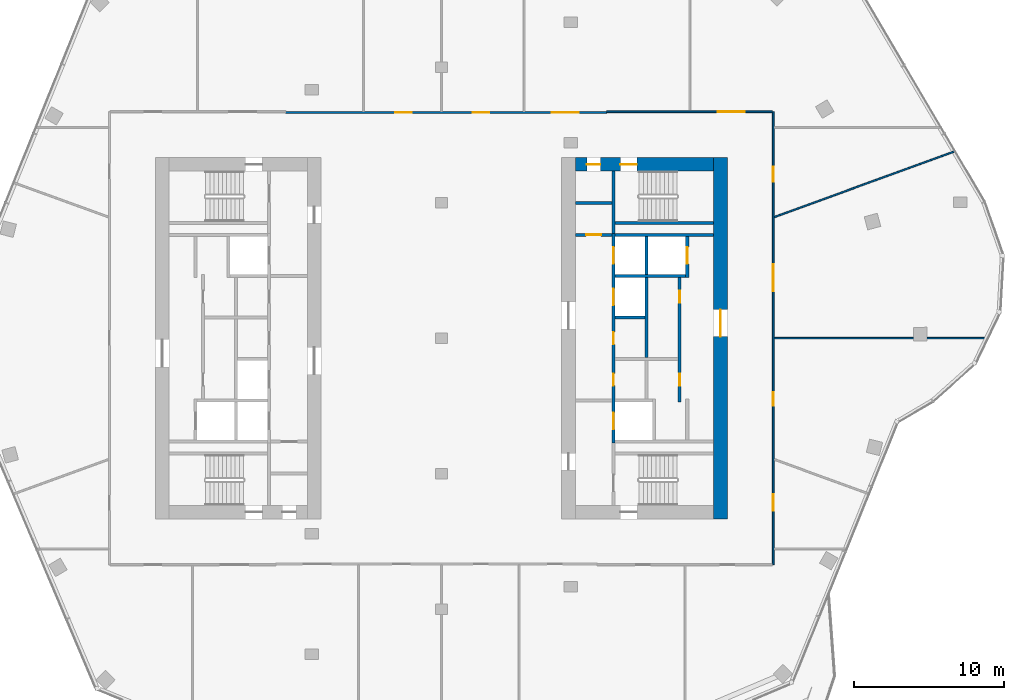
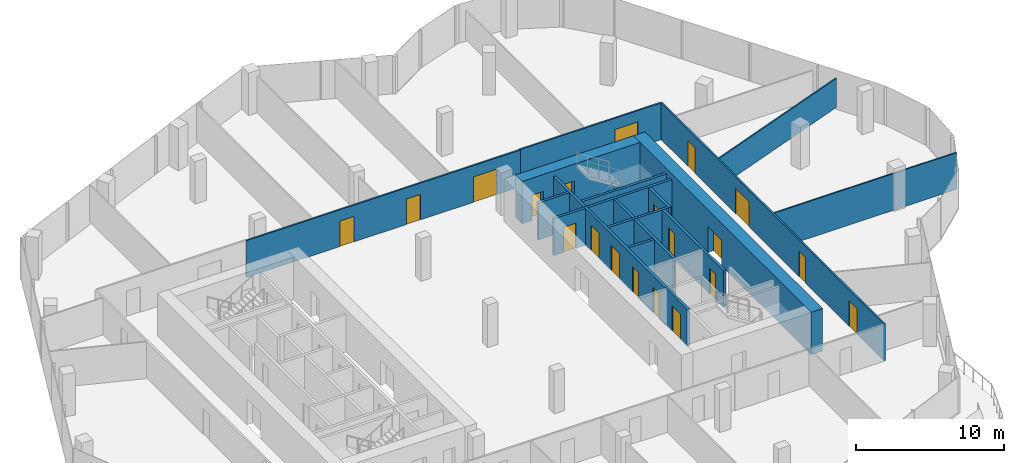
# One storey, part 14 of 17: 20 doors, 19 walls, 20 openings.
"""IFC4 building model written with IfcOpenShell, lengths in metres."""

from ifc_helpers import new_model, si_unit, direction, frame, frame_2d, origin, place, context, subcontext, project, spatial, rectangle, extrude, material, layer, layer_set, type_object, element, fill, save


model = new_model("IFC4")

# Units and contexts
model_context = context("Model", 3, precision=1e-05, world=origin(), true_north=direction((0.0, 1.0)))
body_context = subcontext(model_context, "Body", "Model", "MODEL_VIEW")
ifc_project = project(units=[si_unit("LENGTHUNIT", "METRE"), si_unit("AREAUNIT", "SQUARE_METRE"), si_unit("VOLUMEUNIT", "CUBIC_METRE"), si_unit("PLANEANGLEUNIT", "RADIAN"), si_unit("MASSUNIT", "GRAM", prefix="KILO")], contexts=[model_context])

# Site, building, storey
site_placement = place(None, origin())
site = spatial("IfcSite", under=ifc_project, at=site_placement, CompositionType="ELEMENT")
building_placement = place(site_placement, origin())
building = spatial("IfcBuilding", under=site, at=building_placement, Name="Orlundy Tower", CompositionType="ELEMENT")
storey_placement = place(building_placement, frame((0.0, 0.0, 296.39990234375)))
storey = spatial("IfcBuildingStorey", under=building, at=storey_placement, Name="L79", CompositionType="ELEMENT", Elevation=296.39990234375)

# Wall, openings, doors
ifc_material_1 = material(Name="Concrete C50/60", Category="concrete")
ifc_layer_1 = layer(ifc_material_1, 0.89990234375)
ifc_layer_set_1 = layer_set([ifc_layer_1], Name="CORE WALL 900 C50/60")
wall_type_1 = type_object("IfcWallType", Name="CORE WALL 900 C50/60", PredefinedType="SHEAR", material=ifc_layer_set_1)
wall_1_placement = place(storey_placement, frame((8.89990234375, 11.550048828125, 0.0), z_axis=(0.0, 0.0, 1.0), x_axis=(1.0, 0.0, 0.0)))
wall_1 = element("IfcWall", 1, at=wall_1_placement, inside=storey, type_object=wall_type_1, Name="Core wall E-N L79", PredefinedType="SHEAR", context=body_context, shape_type="SweptSolid", body=[
    extrude(rectangle(XDim=9.2001953125, YDim=0.89990234375, at=frame_2d((4.60009765625, 0.0))), origin(), (0.0, 0.0, 1.0), 3.5),
])
opening_1_placement = place(wall_1_placement, frame((3.0, 0.0, 0.0)))
opening_1 = element("IfcOpeningElement", 2, at=opening_1_placement, cuts=wall_1, Name="Opening 61062", PredefinedType="OPENING", context=body_context, shape_type="SweptSolid", body=[
    extrude(rectangle(XDim=1.10009765625, YDim=2.10009765625, at=frame_2d((0.550048828125, 1.050048828125))), frame((0.0, 0.4599609375, 0.0), z_axis=(0.0, -1.0, 0.0), x_axis=(1.0, 0.0, 0.0)), (0.0, 0.0, 1.0), 0.919921875),
])
opening_2_placement = place(wall_1_placement, frame((0.77001953125, 0.0, 0.0)))
opening_2 = element("IfcOpeningElement", 3, at=opening_2_placement, cuts=wall_1, Name="Opening 61064", PredefinedType="OPENING", context=body_context, shape_type="SweptSolid", body=[
    extrude(rectangle(XDim=0.89990234375, YDim=2.10009765625, at=frame_2d((0.449951171875, 1.050048828125))), frame((0.0, 0.4599609375, 0.0), z_axis=(0.0, -1.0, 0.0), x_axis=(1.0, 0.0, 0.0)), (0.0, 0.0, 1.0), 0.919921875),
])
ifc_material_2 = material(Name="Timber door set", Category="wood")
door_type_1 = type_object("IfcDoorType", Name="Room Door 900x2100", OperationType="SINGLE_SWING_LEFT", PredefinedType="DOOR", material=ifc_material_2)
door_1_placement = place(opening_2_placement, origin())
door_1 = element("IfcDoor", 4, at=door_1_placement, inside=storey, type_object=door_type_1, Name="Store door 61064", OperationType="SINGLE_SWING_LEFT", OverallHeight=2.10009765625, OverallWidth=0.89990234375, PredefinedType="DOOR", context=body_context, shape_type="SweptSolid", body=[
    extrude(rectangle(XDim=0.89990234375, YDim=2.10009765625, at=frame_2d((0.449951171875, 1.050048828125))), frame((0.0, 0.02490234375, 0.0), z_axis=(0.0, -1.0, 0.0), x_axis=(1.0, 0.0, 0.0)), (0.0, 0.0, 1.0), 0.050048828125),
])
fill(opening_2, door_1)
ifc_material_3 = material(Name="Steel door set", Category="steel")
door_type_2 = type_object("IfcDoorType", Name="Stair Door 1100x2100", OperationType="SINGLE_SWING_LEFT", PredefinedType="DOOR", material=ifc_material_3)
door_2_placement = place(opening_1_placement, origin())
door_2 = element("IfcDoor", 5, at=door_2_placement, inside=storey, type_object=door_type_2, Name="Stair door 61062", OperationType="SINGLE_SWING_LEFT", OverallHeight=2.10009765625, OverallWidth=1.10009765625, PredefinedType="DOOR", context=body_context, shape_type="SweptSolid", body=[
    extrude(rectangle(XDim=1.10009765625, YDim=2.10009765625, at=frame_2d((0.550048828125, 1.050048828125))), frame((0.0, 0.02490234375, 0.0), z_axis=(0.0, -1.0, 0.0), x_axis=(1.0, 0.0, 0.0)), (0.0, 0.0, 1.0), 0.050048828125),
])
fill(opening_1, door_2)

# Wall, opening, door
wall_2_placement = place(storey_placement, frame((18.550048828125, -12.0, 0.0), z_axis=(0.0, 0.0, 1.0), x_axis=(0.0, 1.0, 0.0)))
wall_2 = element("IfcWall", 6, at=wall_2_placement, inside=storey, type_object=wall_type_1, Name="Core wall E-E L79", PredefinedType="SHEAR", context=body_context, shape_type="SweptSolid", body=[
    extrude(rectangle(XDim=24.0, YDim=0.89990234375, at=frame_2d((12.0, 0.0))), origin(), (0.0, 0.0, 1.0), 3.5),
])
opening_3_placement = place(wall_2_placement, frame((12.10009765625, 0.0, 0.0)))
opening_3 = element("IfcOpeningElement", 7, at=opening_3_placement, cuts=wall_2, Name="Opening 61059", PredefinedType="OPENING", context=body_context, shape_type="SweptSolid", body=[
    extrude(rectangle(XDim=1.800048828125, YDim=2.10009765625, at=frame_2d((0.89990234375, 1.050048828125))), frame((0.0, 0.4599609375, 0.0), z_axis=(0.0, -1.0, 0.0), x_axis=(1.0, 0.0, 0.0)), (0.0, 0.0, 1.0), 0.919921875),
])
ifc_material_4 = material(Name="Timber door set", Category="wood")
door_type_3 = type_object("IfcDoorType", Name="Lobby Door 1800x2100", OperationType="DOUBLE_DOOR_DOUBLE_SWING", PredefinedType="DOOR", material=ifc_material_4)
door_3_placement = place(opening_3_placement, origin())
door_3 = element("IfcDoor", 8, at=door_3_placement, inside=storey, type_object=door_type_3, Name="Lift lobby door 61059", OperationType="SINGLE_SWING_RIGHT", OverallHeight=2.10009765625, OverallWidth=1.800048828125, PredefinedType="DOOR", context=body_context, shape_type="SweptSolid", body=[
    extrude(rectangle(XDim=1.800048828125, YDim=2.10009765625, at=frame_2d((0.89990234375, 1.050048828125))), frame((0.0, 0.02490234375, 0.0), z_axis=(0.0, -1.0, 0.0), x_axis=(1.0, 0.0, 0.0)), (0.0, 0.0, 1.0), 0.050048828125),
])
fill(opening_3, door_3)

# Walls
ifc_material_5 = material(Name="Gypsum board partition")
ifc_layer_2 = layer(ifc_material_5, 0.10009765625)
ifc_layer_set_2 = layer_set([ifc_layer_2], Name="Floor partition 100")
wall_type_2 = type_object("IfcWallType", Name="Floor partition 100", PredefinedType="PARTITIONING", material=ifc_layer_set_2)
wall_3_placement = place(storey_placement, frame((22.113037109375, 0.0, 0.0), z_axis=(0.0, 0.0, 1.0), x_axis=(1.0, 0.0, 0.0)))
element("IfcWall", 9, at=wall_3_placement, inside=storey, type_object=wall_type_2, Name="wall-int-L79-008", PredefinedType="PARTITIONING", context=body_context, shape_type="SweptSolid", body=[
    extrude(rectangle(XDim=14.239990234375, YDim=0.10009765625, at=frame_2d((7.1201171875, 0.0))), origin(), (0.0, 0.0, 1.0), 3.030029296875),
])
ifc_material_6 = material(Name="Gypsum board partition")
ifc_layer_3 = layer(ifc_material_6, 0.10009765625)
ifc_layer_set_3 = layer_set([ifc_layer_3], Name="Floor partition 100 B")
wall_type_3 = type_object("IfcWallType", Name="Floor partition 100 B", PredefinedType="PARTITIONING", material=ifc_layer_set_3)
wall_4_placement = place(storey_placement, frame((22.131103515625, 8.054931640625, 0.0), z_axis=(0.0, 0.0, 1.0), x_axis=(0.939707130354, 0.341980275983, 0.0)))
element("IfcWall", 10, at=wall_4_placement, inside=storey, type_object=wall_type_3, Name="wall-int-L79-015", PredefinedType="PARTITIONING", context=body_context, shape_type="SweptSolid", body=[
    extrude(rectangle(XDim=12.80810546875, YDim=0.10009765625, at=frame_2d((6.404052734375, 0.0))), origin(), (0.0, 0.0, 1.0), 2.39501953125),
])

# Wall, openings, doors
ifc_material_7 = material(Name="Gypsum board partition, double layer")
ifc_layer_4 = layer(ifc_material_7, 0.125)
ifc_layer_set_4 = layer_set([ifc_layer_4], Name="Floor partition 125")
wall_type_4 = type_object("IfcWallType", Name="Floor partition 125", PredefinedType="PARTITIONING", material=ifc_layer_set_4)
wall_5_placement = place(storey_placement, frame((-10.34912109375, 15.0009765625, 0.0), z_axis=(0.0, 0.0, 1.0), x_axis=(1.0, 0.0, 0.0)))
wall_5 = element("IfcWall", 11, at=wall_5_placement, inside=storey, type_object=wall_type_4, Name="wall-int-L79-011", PredefinedType="PARTITIONING", context=body_context, shape_type="SweptSolid", body=[
    extrude(rectangle(XDim=21.339111328125, YDim=0.125, at=frame_2d((10.66943359375, 0.0))), origin(), (0.0, 0.0, 1.0), 3.030029296875),
])
opening_4_placement = place(wall_5_placement, frame((17.694091796875, 0.0, 0.0)))
opening_4 = element("IfcOpeningElement", 12, at=opening_4_placement, cuts=wall_5, Name="Opening 61115", PredefinedType="OPENING", context=body_context, shape_type="SweptSolid", body=[
    extrude(rectangle(XDim=1.800048828125, YDim=2.10009765625, at=frame_2d((0.89990234375, 1.050048828125))), frame((0.0, 0.072509765625, 0.0), z_axis=(0.0, -1.0, 0.0), x_axis=(1.0, 0.0, 0.0)), (0.0, 0.0, 1.0), 0.14501953125),
])
opening_5_placement = place(wall_5_placement, frame((12.448974609375, 0.0, 0.0)))
opening_5 = element("IfcOpeningElement", 13, at=opening_5_placement, cuts=wall_5, Name="Opening 61116", PredefinedType="OPENING", context=body_context, shape_type="SweptSolid", body=[
    extrude(rectangle(XDim=1.10009765625, YDim=2.10009765625, at=frame_2d((0.550048828125, 1.050048828125))), frame((0.0, 0.072509765625, 0.0), z_axis=(0.0, -1.0, 0.0), x_axis=(1.0, 0.0, 0.0)), (0.0, 0.0, 1.0), 0.14501953125),
])
opening_6_placement = place(wall_5_placement, frame((7.27392578125, 0.0, 0.0)))
opening_6 = element("IfcOpeningElement", 14, at=opening_6_placement, cuts=wall_5, Name="Opening 61117", PredefinedType="OPENING", context=body_context, shape_type="SweptSolid", body=[
    extrude(rectangle(XDim=1.10009765625, YDim=2.10009765625, at=frame_2d((0.550048828125, 1.050048828125))), frame((0.0, 0.072509765625, 0.0), z_axis=(0.0, -1.0, 0.0), x_axis=(1.0, 0.0, 0.0)), (0.0, 0.0, 1.0), 0.14501953125),
])
ifc_material_8 = material(Name="Timber door leaf", Category="wood")
door_type_4 = type_object("IfcDoorType", Name="Floor door double 1800 FD30S", OperationType="NOTDEFINED", PredefinedType="DOOR", material=ifc_material_8)
door_4_placement = place(opening_4_placement, origin())
door_4 = element("IfcDoor", 15, at=door_4_placement, inside=storey, type_object=door_type_4, Name="Door 61115", OperationType="DOUBLE_DOOR_SINGLE_SWING", OverallHeight=2.10009765625, OverallWidth=1.800048828125, PredefinedType="DOOR", context=body_context, shape_type="SweptSolid", body=[
    extrude(rectangle(XDim=1.800048828125, YDim=2.10009765625, at=frame_2d((0.89990234375, 1.050048828125))), frame((0.0, 0.02490234375, 0.0), z_axis=(0.0, -1.0, 0.0), x_axis=(1.0, 0.0, 0.0)), (0.0, 0.0, 1.0), 0.050048828125),
])
fill(opening_4, door_4)
ifc_material_9 = material(Name="Timber door leaf", Category="wood")
door_type_5 = type_object("IfcDoorType", Name="Floor door xwide 1100 FD30S", OperationType="NOTDEFINED", PredefinedType="DOOR", material=ifc_material_9)
door_5_placement = place(opening_5_placement, origin())
door_5 = element("IfcDoor", 16, at=door_5_placement, inside=storey, type_object=door_type_5, Name="Door 61116", OperationType="SINGLE_SWING_RIGHT", OverallHeight=2.10009765625, OverallWidth=1.10009765625, PredefinedType="DOOR", context=body_context, shape_type="SweptSolid", body=[
    extrude(rectangle(XDim=1.10009765625, YDim=2.10009765625, at=frame_2d((0.550048828125, 1.050048828125))), frame((0.0, 0.02490234375, 0.0), z_axis=(0.0, -1.0, 0.0), x_axis=(1.0, 0.0, 0.0)), (0.0, 0.0, 1.0), 0.050048828125),
])
fill(opening_5, door_5)
door_6_placement = place(opening_6_placement, origin())
door_6 = element("IfcDoor", 17, at=door_6_placement, inside=storey, type_object=door_type_5, Name="Door 61117", OperationType="SINGLE_SWING_LEFT", OverallHeight=2.10009765625, OverallWidth=1.10009765625, PredefinedType="DOOR", context=body_context, shape_type="SweptSolid", body=[
    extrude(rectangle(XDim=1.10009765625, YDim=2.10009765625, at=frame_2d((0.550048828125, 1.050048828125))), frame((0.0, 0.02490234375, 0.0), z_axis=(0.0, -1.0, 0.0), x_axis=(1.0, 0.0, 0.0)), (0.0, 0.0, 1.0), 0.050048828125),
])
fill(opening_6, door_6)

# Wall, opening, door
wall_6_placement = place(storey_placement, frame((10.990966796875, 15.051025390625, 0.0), z_axis=(0.0, 0.0, 1.0), x_axis=(1.0, 0.0, 0.0)))
wall_6 = element("IfcWall", 18, at=wall_6_placement, inside=storey, type_object=wall_type_4, Name="wall-int-L79-013", PredefinedType="PARTITIONING", context=body_context, shape_type="SweptSolid", body=[
    extrude(rectangle(XDim=10.9970703125, YDim=0.125, at=frame_2d((5.49853515625, 0.0))), origin(), (0.0, 0.0, 1.0), 3.030029296875),
])
opening_7_placement = place(wall_6_placement, frame((7.3798828125, 0.0, 0.0)))
opening_7 = element("IfcOpeningElement", 19, at=opening_7_placement, cuts=wall_6, Name="Opening 61114", PredefinedType="OPENING", context=body_context, shape_type="SweptSolid", body=[
    extrude(rectangle(XDim=1.800048828125, YDim=2.10009765625, at=frame_2d((0.89990234375, 1.050048828125))), frame((0.0, 0.072509765625, 0.0), z_axis=(0.0, -1.0, 0.0), x_axis=(1.0, 0.0, 0.0)), (0.0, 0.0, 1.0), 0.14501953125),
])
door_7_placement = place(opening_7_placement, origin())
door_7 = element("IfcDoor", 20, at=door_7_placement, inside=storey, type_object=door_type_4, Name="Door 61114", OperationType="DOUBLE_DOOR_SINGLE_SWING", OverallHeight=2.10009765625, OverallWidth=1.800048828125, PredefinedType="DOOR", context=body_context, shape_type="SweptSolid", body=[
    extrude(rectangle(XDim=1.800048828125, YDim=2.10009765625, at=frame_2d((0.89990234375, 1.050048828125))), frame((0.0, 0.02490234375, 0.0), z_axis=(0.0, -1.0, 0.0), x_axis=(1.0, 0.0, 0.0)), (0.0, 0.0, 1.0), 0.050048828125),
])
fill(opening_7, door_7)

# Wall, openings, doors
wall_7_placement = place(storey_placement, frame((22.051025390625, 15.050048828125, 0.0), z_axis=(0.0, 0.0, 1.0), x_axis=(0.0, -1.0, 0.0)))
wall_7 = element("IfcWall", 21, at=wall_7_placement, inside=storey, type_object=wall_type_4, Name="wall-int-L79-016", PredefinedType="PARTITIONING", context=body_context, shape_type="SweptSolid", body=[
    extrude(rectangle(XDim=30.10009765625, YDim=0.125, at=frame_2d((15.050048828125, 0.0))), origin(), (0.0, 0.0, 1.0), 3.030029296875),
])
opening_8_placement = place(wall_7_placement, frame((25.426025390625, 0.0, 0.0)))
opening_8 = element("IfcOpeningElement", 22, at=opening_8_placement, cuts=wall_7, Name="Opening 61110", PredefinedType="OPENING", context=body_context, shape_type="SweptSolid", body=[
    extrude(rectangle(XDim=1.10009765625, YDim=2.10009765625, at=frame_2d((0.550048828125, 1.050048828125))), frame((0.0, 0.072509765625, 0.0), z_axis=(0.0, -1.0, 0.0), x_axis=(1.0, 0.0, 0.0)), (0.0, 0.0, 1.0), 0.14501953125),
])
opening_9_placement = place(wall_7_placement, frame((18.64990234375, 0.0, 0.0)))
opening_9 = element("IfcOpeningElement", 23, at=opening_9_placement, cuts=wall_7, Name="Opening 61111", PredefinedType="OPENING", context=body_context, shape_type="SweptSolid", body=[
    extrude(rectangle(XDim=0.89990234375, YDim=2.10009765625, at=frame_2d((0.449951171875, 1.050048828125))), frame((0.0, 0.072509765625, 0.0), z_axis=(0.0, -1.0, 0.0), x_axis=(1.0, 0.0, 0.0)), (0.0, 0.0, 1.0), 0.14501953125),
])
opening_10_placement = place(wall_7_placement, frame((10.1240234375, 0.0, 0.0)))
opening_10 = element("IfcOpeningElement", 24, at=opening_10_placement, cuts=wall_7, Name="Opening 61112", PredefinedType="OPENING", context=body_context, shape_type="SweptSolid", body=[
    extrude(rectangle(XDim=1.800048828125, YDim=2.10009765625, at=frame_2d((0.89990234375, 1.050048828125))), frame((0.0, 0.072509765625, 0.0), z_axis=(0.0, -1.0, 0.0), x_axis=(1.0, 0.0, 0.0)), (0.0, 0.0, 1.0), 0.14501953125),
])
opening_11_placement = place(wall_7_placement, frame((3.64990234375, 0.0, 0.0)))
opening_11 = element("IfcOpeningElement", 25, at=opening_11_placement, cuts=wall_7, Name="Opening 61113", PredefinedType="OPENING", context=body_context, shape_type="SweptSolid", body=[
    extrude(rectangle(XDim=1.0, YDim=2.10009765625, at=frame_2d((0.5, 1.050048828125))), frame((0.0, 0.072509765625, 0.0), z_axis=(0.0, -1.0, 0.0), x_axis=(1.0, 0.0, 0.0)), (0.0, 0.0, 1.0), 0.14501953125),
])
door_8_placement = place(opening_10_placement, origin())
door_8 = element("IfcDoor", 26, at=door_8_placement, inside=storey, type_object=door_type_4, Name="Door 61112", OperationType="DOUBLE_DOOR_SINGLE_SWING", OverallHeight=2.10009765625, OverallWidth=1.800048828125, PredefinedType="DOOR", context=body_context, shape_type="SweptSolid", body=[
    extrude(rectangle(XDim=1.800048828125, YDim=2.10009765625, at=frame_2d((0.89990234375, 1.050048828125))), frame((0.0, 0.02490234375, 0.0), z_axis=(0.0, -1.0, 0.0), x_axis=(1.0, 0.0, 0.0)), (0.0, 0.0, 1.0), 0.050048828125),
])
fill(opening_10, door_8)
ifc_material_10 = material(Name="Timber door leaf", Category="wood")
door_type_6 = type_object("IfcDoorType", Name="Floor door single 900 FD30S", OperationType="NOTDEFINED", PredefinedType="DOOR", material=ifc_material_10)
door_9_placement = place(opening_9_placement, origin())
door_9 = element("IfcDoor", 27, at=door_9_placement, inside=storey, type_object=door_type_6, Name="Door 61111", OperationType="SINGLE_SWING_RIGHT", OverallHeight=2.10009765625, OverallWidth=0.89990234375, PredefinedType="DOOR", context=body_context, shape_type="SweptSolid", body=[
    extrude(rectangle(XDim=0.89990234375, YDim=2.10009765625, at=frame_2d((0.449951171875, 1.050048828125))), frame((0.0, 0.02490234375, 0.0), z_axis=(0.0, -1.0, 0.0), x_axis=(1.0, 0.0, 0.0)), (0.0, 0.0, 1.0), 0.050048828125),
])
fill(opening_9, door_9)
ifc_material_11 = material(Name="Timber door leaf", Category="wood")
door_type_7 = type_object("IfcDoorType", Name="Floor door wide 1000 FD30S", OperationType="NOTDEFINED", PredefinedType="DOOR", material=ifc_material_11)
door_10_placement = place(opening_11_placement, origin())
door_10 = element("IfcDoor", 28, at=door_10_placement, inside=storey, type_object=door_type_7, Name="Door 61113", OperationType="SINGLE_SWING_LEFT", OverallHeight=2.10009765625, OverallWidth=1.0, PredefinedType="DOOR", context=body_context, shape_type="SweptSolid", body=[
    extrude(rectangle(XDim=1.0, YDim=2.10009765625, at=frame_2d((0.5, 1.050048828125))), frame((0.0, 0.02490234375, 0.0), z_axis=(0.0, -1.0, 0.0), x_axis=(1.0, 0.0, 0.0)), (0.0, 0.0, 1.0), 0.050048828125),
])
fill(opening_11, door_10)
door_11_placement = place(opening_8_placement, origin())
door_11 = element("IfcDoor", 29, at=door_11_placement, inside=storey, type_object=door_type_5, Name="Door 61110", OperationType="SINGLE_SWING_RIGHT", OverallHeight=2.10009765625, OverallWidth=1.10009765625, PredefinedType="DOOR", context=body_context, shape_type="SweptSolid", body=[
    extrude(rectangle(XDim=1.10009765625, YDim=2.10009765625, at=frame_2d((0.550048828125, 1.050048828125))), frame((0.0, 0.02490234375, 0.0), z_axis=(0.0, -1.0, 0.0), x_axis=(1.0, 0.0, 0.0)), (0.0, 0.0, 1.0), 0.050048828125),
])
fill(opening_8, door_11)

# Walls
ifc_material_12 = material(Name="Concrete C40/50", Category="concrete")
ifc_layer_5 = layer(ifc_material_12, 0.199951171875)
ifc_layer_set_5 = layer_set([ifc_layer_5], Name="Load-bearing Shaft Wall 200")
wall_type_5 = type_object("IfcWallType", Name="Load-bearing Shaft Wall 200", PredefinedType="SOLIDWALL", material=ifc_layer_set_5)
wall_8_placement = place(storey_placement, frame((11.43994140625, 11.10009765625, 0.0), z_axis=(0.0, 0.0, 1.0), x_axis=(0.0, -1.0, 0.0)))
element("IfcWall", 30, at=wall_8_placement, inside=storey, type_object=wall_type_5, Name="Shaft wall E61-stair-end-s", PredefinedType="SOLIDWALL", context=body_context, shape_type="SweptSolid", body=[
    extrude(rectangle(XDim=4.125, YDim=0.199951171875, at=frame_2d((2.0625, 0.0))), origin(), (0.0, 0.0, 1.0), 3.050048828125),
])
wall_9_placement = place(storey_placement, frame((11.5400390625, 7.64990234375, 0.0), z_axis=(0.0, 0.0, 1.0), x_axis=(1.0, 0.0, 0.0)))
element("IfcWall", 31, at=wall_9_placement, inside=storey, type_object=wall_type_5, Name="Shaft wall E61-stair-side-s", PredefinedType="SOLIDWALL", context=body_context, shape_type="SweptSolid", body=[
    extrude(rectangle(XDim=6.56005859375, YDim=0.199951171875, at=frame_2d((3.280029296875, 0.0))), origin(), (0.0, 0.0, 1.0), 3.050048828125),
])

# Wall, opening, door
ifc_material_13 = material(Name="Gypsum board partition on steel studs", Category="steel")
ifc_layer_6 = layer(ifc_material_13, 0.199951171875)
ifc_layer_set_6 = layer_set([ifc_layer_6], Name="Partition 200")
wall_type_6 = type_object("IfcWallType", Name="Partition 200", PredefinedType="PARTITIONING", material=ifc_layer_set_6)
wall_10_placement = place(storey_placement, frame((8.89990234375, 6.875, 0.0), z_axis=(0.0, 0.0, 1.0), x_axis=(1.0, 0.0, 0.0)))
wall_10 = element("IfcWall", 32, at=wall_10_placement, inside=storey, type_object=wall_type_6, Name="Partition wall E61-end-s", PredefinedType="PARTITIONING", context=body_context, shape_type="SweptSolid", body=[
    extrude(rectangle(XDim=2.440185546875, YDim=0.199951171875, at=frame_2d((1.22021484375, 0.0))), origin(), (0.0, 0.0, 1.0), 3.050048828125),
])
opening_12_placement = place(wall_10_placement, frame((0.719970703125, 0.0, 0.0)))
opening_12 = element("IfcOpeningElement", 33, at=opening_12_placement, cuts=wall_10, Name="Opening 61065", PredefinedType="OPENING", context=body_context, shape_type="SweptSolid", body=[
    extrude(rectangle(XDim=1.0, YDim=2.10009765625, at=frame_2d((0.5, 1.050048828125))), frame((0.0, 0.110107421875, 0.0), z_axis=(0.0, -1.0, 0.0), x_axis=(1.0, 0.0, 0.0)), (0.0, 0.0, 1.0), 0.22021484375),
])
ifc_material_14 = material(Name="Timber door set", Category="wood")
door_type_8 = type_object("IfcDoorType", Name="Accessible Door 1000x2100", OperationType="SINGLE_SWING_LEFT", PredefinedType="DOOR", material=ifc_material_14)
door_12_placement = place(opening_12_placement, origin())
door_12 = element("IfcDoor", 34, at=door_12_placement, inside=storey, type_object=door_type_8, Name="Accessible WC door 61065", OperationType="SINGLE_SWING_RIGHT", OverallHeight=2.10009765625, OverallWidth=1.0, PredefinedType="DOOR", context=body_context, shape_type="SweptSolid", body=[
    extrude(rectangle(XDim=1.0, YDim=2.10009765625, at=frame_2d((0.5, 1.050048828125))), frame((0.0, 0.02490234375, 0.0), z_axis=(0.0, -1.0, 0.0), x_axis=(1.0, 0.0, 0.0)), (0.0, 0.0, 1.0), 0.050048828125),
])
fill(opening_12, door_12)

# Walls
wall_11_placement = place(storey_placement, frame((8.89990234375, 9.0, 0.0), z_axis=(0.0, 0.0, 1.0), x_axis=(1.0, 0.0, 0.0)))
element("IfcWall", 35, at=wall_11_placement, inside=storey, type_object=wall_type_6, Name="Partition wall E61-room-s0", PredefinedType="PARTITIONING", context=body_context, shape_type="SweptSolid", body=[
    extrude(rectangle(XDim=2.440185546875, YDim=0.199951171875, at=frame_2d((1.22021484375, 0.0))), origin(), (0.0, 0.0, 1.0), 3.050048828125),
])
ifc_material_15 = material(Name="Fire-rated blockwork shaft wall", Category="masonry")
ifc_layer_7 = layer(ifc_material_15, 0.199951171875)
ifc_layer_set_7 = layer_set([ifc_layer_7], Name="Shaft Wall 200")
wall_type_7 = type_object("IfcWallType", Name="Shaft Wall 200", PredefinedType="SOLIDWALL", material=ifc_layer_set_7)
wall_12_placement = place(storey_placement, frame((11.5400390625, 6.875, 0.0), z_axis=(0.0, 0.0, 1.0), x_axis=(1.0, 0.0, 0.0)))
element("IfcWall", 36, at=wall_12_placement, inside=storey, type_object=wall_type_7, Name="Shaft wall E61-zone-s", PredefinedType="SOLIDWALL", context=body_context, shape_type="SweptSolid", body=[
    extrude(rectangle(XDim=6.56005859375, YDim=0.199951171875, at=frame_2d((3.280029296875, 0.0))), origin(), (0.0, 0.0, 1.0), 3.050048828125),
])
wall_13_placement = place(storey_placement, frame((11.5400390625, 4.125, 0.0), z_axis=(0.0, 0.0, 1.0), x_axis=(1.0, 0.0, 0.0)))
element("IfcWall", 37, at=wall_13_placement, inside=storey, type_object=wall_type_7, Name="Shaft wall E61-cross-4.125", PredefinedType="SOLIDWALL", context=body_context, shape_type="SweptSolid", body=[
    extrude(rectangle(XDim=4.699951171875, YDim=0.199951171875, at=frame_2d((2.35009765625, 0.0))), origin(), (0.0, 0.0, 1.0), 3.050048828125),
])
wall_14_placement = place(storey_placement, frame((11.5400390625, 1.375, 0.0), z_axis=(0.0, 0.0, 1.0), x_axis=(1.0, 0.0, 0.0)))
element("IfcWall", 38, at=wall_14_placement, inside=storey, type_object=wall_type_7, Name="Shaft wall E61-cross-1.375", PredefinedType="SOLIDWALL", context=body_context, shape_type="SweptSolid", body=[
    extrude(rectangle(XDim=2.0, YDim=0.199951171875, at=frame_2d((1.0, 0.0))), origin(), (0.0, 0.0, 1.0), 3.050048828125),
])

# Wall, openings, doors
wall_15_placement = place(storey_placement, frame((11.43994140625, 6.97509765625, 0.0), z_axis=(0.0, 0.0, 1.0), x_axis=(0.0, -1.0, 0.0)))
wall_15 = element("IfcWall", 39, at=wall_15_placement, inside=storey, type_object=wall_type_7, Name="Shaft wall E61-front-h", PredefinedType="SOLIDWALL", context=body_context, shape_type="SweptSolid", body=[
    extrude(rectangle(XDim=13.9501953125, YDim=0.199951171875, at=frame_2d((6.97509765625, 0.0))), origin(), (0.0, 0.0, 1.0), 3.050048828125),
])
opening_13_placement = place(wall_15_placement, frame((0.925048828125, 0.0, 0.0)))
opening_13 = element("IfcOpeningElement", 40, at=opening_13_placement, cuts=wall_15, Name="Opening 61050", PredefinedType="OPENING", context=body_context, shape_type="SweptSolid", body=[
    extrude(rectangle(XDim=1.10009765625, YDim=2.10009765625, at=frame_2d((0.550048828125, 1.050048828125))), frame((0.0, 0.110107421875, 0.0), z_axis=(0.0, -1.0, 0.0), x_axis=(1.0, 0.0, 0.0)), (0.0, 0.0, 1.0), 0.22021484375),
])
opening_14_placement = place(wall_15_placement, frame((3.675048828125, 0.0, 0.0)))
opening_14 = element("IfcOpeningElement", 41, at=opening_14_placement, cuts=wall_15, Name="Opening 61052", PredefinedType="OPENING", context=body_context, shape_type="SweptSolid", body=[
    extrude(rectangle(XDim=1.10009765625, YDim=2.10009765625, at=frame_2d((0.550048828125, 1.050048828125))), frame((0.0, 0.110107421875, 0.0), z_axis=(0.0, -1.0, 0.0), x_axis=(1.0, 0.0, 0.0)), (0.0, 0.0, 1.0), 0.22021484375),
])
opening_15_placement = place(wall_15_placement, frame((11.925048828125, 0.0, 0.0)))
opening_15 = element("IfcOpeningElement", 42, at=opening_15_placement, cuts=wall_15, Name="Opening 61053", PredefinedType="OPENING", context=body_context, shape_type="SweptSolid", body=[
    extrude(rectangle(XDim=1.10009765625, YDim=2.10009765625, at=frame_2d((0.550048828125, 1.050048828125))), frame((0.0, 0.110107421875, 0.0), z_axis=(0.0, -1.0, 0.0), x_axis=(1.0, 0.0, 0.0)), (0.0, 0.0, 1.0), 0.22021484375),
])
opening_16_placement = place(wall_15_placement, frame((6.574951171875, 0.0, 0.0)))
opening_16 = element("IfcOpeningElement", 43, at=opening_16_placement, cuts=wall_15, Name="Opening 61055", PredefinedType="OPENING", context=body_context, shape_type="SweptSolid", body=[
    extrude(rectangle(XDim=0.800048828125, YDim=2.10009765625, at=frame_2d((0.39990234375, 1.050048828125))), frame((0.0, 0.110107421875, 0.0), z_axis=(0.0, -1.0, 0.0), x_axis=(1.0, 0.0, 0.0)), (0.0, 0.0, 1.0), 0.22021484375),
])
opening_17_placement = place(wall_15_placement, frame((9.324951171875, 0.0, 0.0)))
opening_17 = element("IfcOpeningElement", 44, at=opening_17_placement, cuts=wall_15, Name="Opening 61056", PredefinedType="OPENING", context=body_context, shape_type="SweptSolid", body=[
    extrude(rectangle(XDim=0.800048828125, YDim=2.10009765625, at=frame_2d((0.39990234375, 1.050048828125))), frame((0.0, 0.110107421875, 0.0), z_axis=(0.0, -1.0, 0.0), x_axis=(1.0, 0.0, 0.0)), (0.0, 0.0, 1.0), 0.22021484375),
])
ifc_material_16 = material(Name="Steel door set", Category="steel")
door_type_9 = type_object("IfcDoorType", Name="Landing Door 1100x2100", OperationType="DOUBLE_DOOR_SLIDING", PredefinedType="DOOR", material=ifc_material_16)
door_13_placement = place(opening_13_placement, origin())
door_13 = element("IfcDoor", 45, at=door_13_placement, inside=storey, type_object=door_type_9, Name="Lift landing door LP-24 61050", OperationType="DOUBLE_DOOR_SLIDING", OverallHeight=2.10009765625, OverallWidth=1.10009765625, PredefinedType="DOOR", context=body_context, shape_type="SweptSolid", body=[
    extrude(rectangle(XDim=1.10009765625, YDim=2.10009765625, at=frame_2d((0.550048828125, 1.050048828125))), frame((0.0, 0.02490234375, 0.0), z_axis=(0.0, -1.0, 0.0), x_axis=(1.0, 0.0, 0.0)), (0.0, 0.0, 1.0), 0.050048828125),
])
fill(opening_13, door_13)
door_14_placement = place(opening_14_placement, origin())
door_14 = element("IfcDoor", 46, at=door_14_placement, inside=storey, type_object=door_type_9, Name="Lift landing door LP-23 61052", OperationType="DOUBLE_DOOR_SLIDING", OverallHeight=2.10009765625, OverallWidth=1.10009765625, PredefinedType="DOOR", context=body_context, shape_type="SweptSolid", body=[
    extrude(rectangle(XDim=1.10009765625, YDim=2.10009765625, at=frame_2d((0.550048828125, 1.050048828125))), frame((0.0, 0.02490234375, 0.0), z_axis=(0.0, -1.0, 0.0), x_axis=(1.0, 0.0, 0.0)), (0.0, 0.0, 1.0), 0.050048828125),
])
fill(opening_14, door_14)
door_15_placement = place(opening_15_placement, origin())
door_15 = element("IfcDoor", 47, at=door_15_placement, inside=storey, type_object=door_type_9, Name="Lift landing door FL2 61053", OperationType="DOUBLE_DOOR_SLIDING", OverallHeight=2.10009765625, OverallWidth=1.10009765625, PredefinedType="DOOR", context=body_context, shape_type="SweptSolid", body=[
    extrude(rectangle(XDim=1.10009765625, YDim=2.10009765625, at=frame_2d((0.550048828125, 1.050048828125))), frame((0.0, 0.02490234375, 0.0), z_axis=(0.0, -1.0, 0.0), x_axis=(1.0, 0.0, 0.0)), (0.0, 0.0, 1.0), 0.050048828125),
])
fill(opening_15, door_15)
ifc_material_17 = material(Name="Timber door set", Category="wood")
door_type_10 = type_object("IfcDoorType", Name="Riser Door 800x2100", OperationType="SINGLE_SWING_LEFT", PredefinedType="DOOR", material=ifc_material_17)
door_16_placement = place(opening_16_placement, origin())
door_16 = element("IfcDoor", 48, at=door_16_placement, inside=storey, type_object=door_type_10, Name="Coat Store door 61055", OperationType="SINGLE_SWING_LEFT", OverallHeight=2.10009765625, OverallWidth=0.800048828125, PredefinedType="DOOR", context=body_context, shape_type="SweptSolid", body=[
    extrude(rectangle(XDim=0.800048828125, YDim=2.10009765625, at=frame_2d((0.39990234375, 1.050048828125))), frame((0.0, 0.02490234375, 0.0), z_axis=(0.0, -1.0, 0.0), x_axis=(1.0, 0.0, 0.0)), (0.0, 0.0, 1.0), 0.050048828125),
])
fill(opening_16, door_16)
door_17_placement = place(opening_17_placement, origin())
door_17 = element("IfcDoor", 49, at=door_17_placement, inside=storey, type_object=door_type_10, Name="Parcel Store door 61056", OperationType="SINGLE_SWING_LEFT", OverallHeight=2.10009765625, OverallWidth=0.800048828125, PredefinedType="DOOR", context=body_context, shape_type="SweptSolid", body=[
    extrude(rectangle(XDim=0.800048828125, YDim=2.10009765625, at=frame_2d((0.39990234375, 1.050048828125))), frame((0.0, 0.02490234375, 0.0), z_axis=(0.0, -1.0, 0.0), x_axis=(1.0, 0.0, 0.0)), (0.0, 0.0, 1.0), 0.050048828125),
])
fill(opening_17, door_17)

# Walls
wall_16_placement = place(storey_placement, frame((13.639892578125, 6.77490234375, 0.0), z_axis=(0.0, 0.0, 1.0), x_axis=(0.0, -1.0, 0.0)))
element("IfcWall", 50, at=wall_16_placement, inside=storey, type_object=wall_type_7, Name="Shaft wall E61-mid-a", PredefinedType="SOLIDWALL", context=body_context, shape_type="SweptSolid", body=[
    extrude(rectangle(XDim=2.5498046875, YDim=0.199951171875, at=frame_2d((1.27490234375, 0.0))), origin(), (0.0, 0.0, 1.0), 3.050048828125),
])
wall_17_placement = place(storey_placement, frame((13.639892578125, 4.02490234375, 0.0), z_axis=(0.0, 0.0, 1.0), x_axis=(0.0, -1.0, 0.0)))
element("IfcWall", 51, at=wall_17_placement, inside=storey, type_object=wall_type_7, Name="Shaft wall E61-mid-a.1", PredefinedType="SOLIDWALL", context=body_context, shape_type="SweptSolid", body=[
    extrude(rectangle(XDim=5.2998046875, YDim=0.199951171875, at=frame_2d((2.64990234375, 0.0))), origin(), (0.0, 0.0, 1.0), 3.050048828125),
])

# Wall, opening, door
wall_18_placement = place(storey_placement, frame((16.340087890625, 6.77490234375, 0.0), z_axis=(0.0, 0.0, 1.0), x_axis=(0.0, -1.0, 0.0)))
wall_18 = element("IfcWall", 52, at=wall_18_placement, inside=storey, type_object=wall_type_7, Name="Shaft wall E61-front-o-a", PredefinedType="SOLIDWALL", context=body_context, shape_type="SweptSolid", body=[
    extrude(rectangle(XDim=2.75, YDim=0.199951171875, at=frame_2d((1.375, 0.0))), origin(), (0.0, 0.0, 1.0), 3.050048828125),
])
opening_18_placement = place(wall_18_placement, frame((0.72509765625, 0.0, 0.0)))
opening_18 = element("IfcOpeningElement", 53, at=opening_18_placement, cuts=wall_18, Name="Opening 61051", PredefinedType="OPENING", context=body_context, shape_type="SweptSolid", body=[
    extrude(rectangle(XDim=1.10009765625, YDim=2.10009765625, at=frame_2d((0.550048828125, 1.050048828125))), frame((0.0, 0.110107421875, 0.0), z_axis=(0.0, -1.0, 0.0), x_axis=(1.0, 0.0, 0.0)), (0.0, 0.0, 1.0), 0.22021484375),
])
door_18_placement = place(opening_18_placement, origin())
door_18 = element("IfcDoor", 54, at=door_18_placement, inside=storey, type_object=door_type_9, Name="Lift landing door LV-02 61051", OperationType="DOUBLE_DOOR_SLIDING", OverallHeight=2.10009765625, OverallWidth=1.10009765625, PredefinedType="DOOR", context=body_context, shape_type="SweptSolid", body=[
    extrude(rectangle(XDim=1.10009765625, YDim=2.10009765625, at=frame_2d((0.550048828125, 1.050048828125))), frame((0.0, 0.02490234375, 0.0), z_axis=(0.0, -1.0, 0.0), x_axis=(1.0, 0.0, 0.0)), (0.0, 0.0, 1.0), 0.050048828125),
])
fill(opening_18, door_18)

# Wall, openings, doors
wall_19_placement = place(storey_placement, frame((15.840087890625, 4.02490234375, 0.0), z_axis=(0.0, 0.0, 1.0), x_axis=(0.0, -1.0, 0.0)))
wall_19 = element("IfcWall", 55, at=wall_19_placement, inside=storey, type_object=wall_type_7, Name="Shaft wall E61-front-o-b", PredefinedType="SOLIDWALL", context=body_context, shape_type="SweptSolid", body=[
    extrude(rectangle(XDim=8.25, YDim=0.199951171875, at=frame_2d((4.125, 0.0))), origin(), (0.0, 0.0, 1.0), 3.050048828125),
])
opening_19_placement = place(wall_19_placement, frame((0.875, 0.0, 0.0)))
opening_19 = element("IfcOpeningElement", 56, at=opening_19_placement, cuts=wall_19, Name="Opening 61054", PredefinedType="OPENING", context=body_context, shape_type="SweptSolid", body=[
    extrude(rectangle(XDim=0.800048828125, YDim=2.10009765625, at=frame_2d((0.39990234375, 1.050048828125))), frame((0.0, 0.110107421875, 0.0), z_axis=(0.0, -1.0, 0.0), x_axis=(1.0, 0.0, 0.0)), (0.0, 0.0, 1.0), 0.22021484375),
])
opening_20_placement = place(wall_19_placement, frame((6.375, 0.0, 0.0)))
opening_20 = element("IfcOpeningElement", 57, at=opening_20_placement, cuts=wall_19, Name="Opening 61057", PredefinedType="OPENING", context=body_context, shape_type="SweptSolid", body=[
    extrude(rectangle(XDim=0.800048828125, YDim=2.10009765625, at=frame_2d((0.39990234375, 1.050048828125))), frame((0.0, 0.110107421875, 0.0), z_axis=(0.0, -1.0, 0.0), x_axis=(1.0, 0.0, 0.0)), (0.0, 0.0, 1.0), 0.22021484375),
])
door_19_placement = place(opening_19_placement, origin())
door_19 = element("IfcDoor", 58, at=door_19_placement, inside=storey, type_object=door_type_10, Name="Printer Paper Store door 61054", OperationType="SINGLE_SWING_LEFT", OverallHeight=2.10009765625, OverallWidth=0.800048828125, PredefinedType="DOOR", context=body_context, shape_type="SweptSolid", body=[
    extrude(rectangle(XDim=0.800048828125, YDim=2.10009765625, at=frame_2d((0.39990234375, 1.050048828125))), frame((0.0, 0.02490234375, 0.0), z_axis=(0.0, -1.0, 0.0), x_axis=(1.0, 0.0, 0.0)), (0.0, 0.0, 1.0), 0.050048828125),
])
fill(opening_19, door_19)
door_20_placement = place(opening_20_placement, origin())
door_20 = element("IfcDoor", 59, at=door_20_placement, inside=storey, type_object=door_type_10, Name="Coat Store door 61057", OperationType="SINGLE_SWING_LEFT", OverallHeight=2.10009765625, OverallWidth=0.800048828125, PredefinedType="DOOR", context=body_context, shape_type="SweptSolid", body=[
    extrude(rectangle(XDim=0.800048828125, YDim=2.10009765625, at=frame_2d((0.39990234375, 1.050048828125))), frame((0.0, 0.02490234375, 0.0), z_axis=(0.0, -1.0, 0.0), x_axis=(1.0, 0.0, 0.0)), (0.0, 0.0, 1.0), 0.050048828125),
])
fill(opening_20, door_20)

save(model, "model.ifc")
